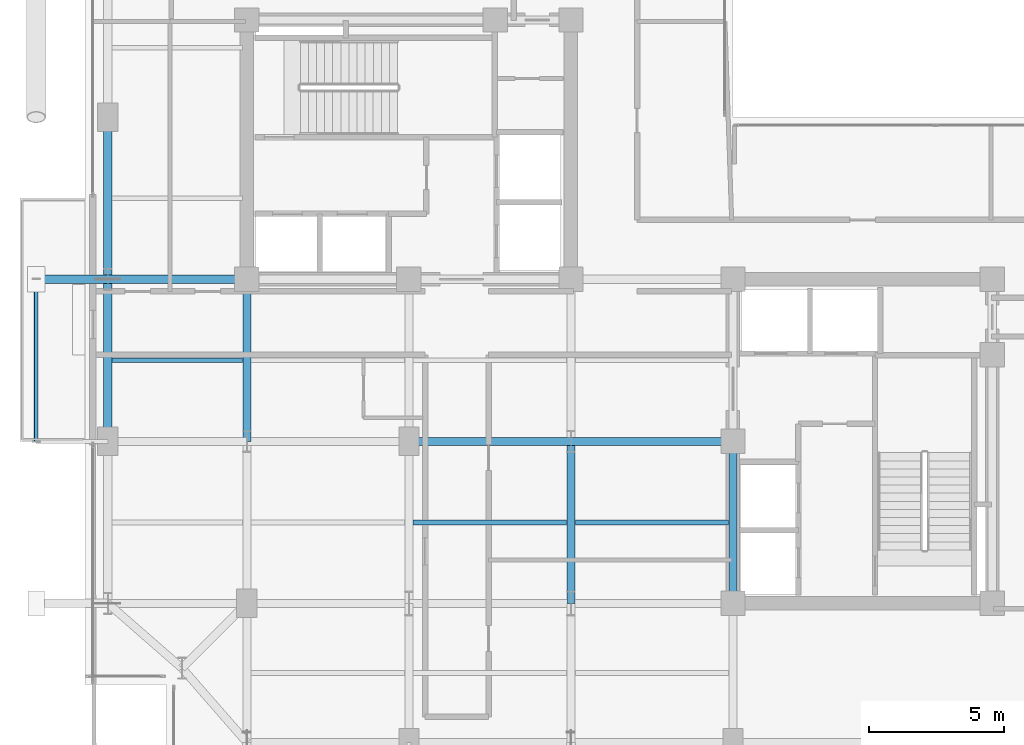
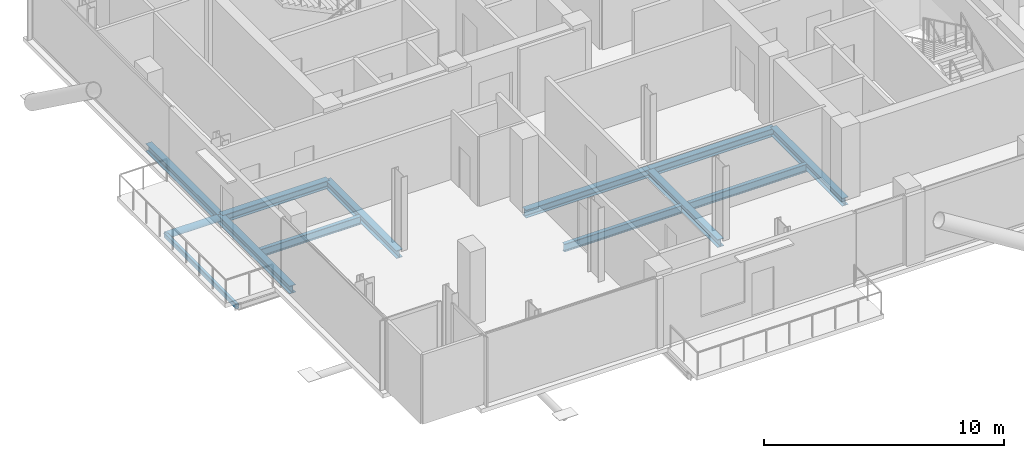
# One storey, part 6 of 21: 12 beams, 1 member.
"""IFC4 building model written with IfcOpenShell, lengths in metres."""

from ifc_helpers import new_model, si_unit, direction, frame, origin, origin_2d, place, context, subcontext, project, spatial, hollow_rectangle, hollow_circle, i_section, extrude, material, material_profile, profile_set, type_object, element, save


model = new_model("IFC4")

# Units and contexts
model_context = context("Model", 3, precision=1e-05, world=origin(), true_north=direction((0.0, 1.0)))
body_context = subcontext(model_context, "Body", "Model", "MODEL_VIEW")
ifc_project = project(units=[si_unit("LENGTHUNIT", "METRE"), si_unit("AREAUNIT", "SQUARE_METRE"), si_unit("VOLUMEUNIT", "CUBIC_METRE"), si_unit("PLANEANGLEUNIT", "RADIAN"), si_unit("MASSUNIT", "GRAM", prefix="KILO"), si_unit("THERMODYNAMICTEMPERATUREUNIT", "KELVIN"), si_unit("POWERUNIT", "WATT")], contexts=[model_context])

# Site, building, storey
site_placement = place(None, origin())
site = spatial("IfcSite", under=ifc_project, at=site_placement, CompositionType="ELEMENT")
building_placement = place(site_placement, origin())
building = spatial("IfcBuilding", under=site, at=building_placement, Name="Svarakhadi Broadcast Tower", CompositionType="ELEMENT")
storey_placement = place(building_placement, frame((0.0, 0.0, 219.89990234375)))
storey = spatial("IfcBuildingStorey", under=building, at=storey_placement, Name="L54", CompositionType="ELEMENT", Elevation=219.89990234375)

# Beams
ifc_material_1 = material(Name="Steel S355J2 (IS 2062 E350C)", Category="steel")
ifc_material_profile_1 = material_profile(ifc_material_1, i_section(OverallWidth=0.179931640625, OverallDepth=0.39990234375, WebThickness=0.008544921875, FlangeThickness=0.013427734375, FilletRadius=0.02099609375, at=origin_2d()), Name="NPB 400x180x66")
ifc_profile_set_1 = profile_set([ifc_material_profile_1], Name="Steel S355J2 (IS 2062 E350C)")
beam_type_1 = type_object("IfcBeamType", Name="Beam_NPB400", PredefinedType="BEAM", material=ifc_profile_set_1)
beam_1_placement = place(storey_placement, frame((1.010009765625, 15.0, -0.409912109375), z_axis=(1.0, 0.0, 0.0), x_axis=(0.0, 1.0, 0.0)))
element("IfcBeam", 1, at=beam_1_placement, inside=storey, type_object=beam_type_1, Name="L54 Secondary Composite Beam SB002", PredefinedType="BEAM", context=body_context, shape_type="SweptSolid", body=[
    extrude(i_section(OverallWidth=0.179931640625, OverallDepth=0.39990234375, WebThickness=0.008544921875, FlangeThickness=0.013427734375, FilletRadius=0.02099609375, at=origin_2d()), origin(), (0.0, 0.0, 1.0), 4.830078125),
])
for number, where, z_axis, x_axis, name in (
    (2, (12.159912109375, 9.0, -0.409912109375), (1.0, 0.0, 0.0), (0.0, 1.0, 0.0), "L54 Secondary Composite Beam SB010"),
    (3, (18.159912109375, 9.0, -0.409912109375), (1.0, 0.0, 0.0), (0.0, 1.0, 0.0), "L54 Secondary Composite Beam SB014"),
):
    element("IfcBeam", number, at=place(storey_placement, frame(where, z_axis=z_axis, x_axis=x_axis)), inside=storey, type_object=beam_type_1, Name=name, PredefinedType="BEAM", context=body_context, shape_type="SweptSolid", body=[
        extrude(i_section(OverallWidth=0.179931640625, OverallDepth=0.39990234375, WebThickness=0.008544921875, FlangeThickness=0.013427734375, FilletRadius=0.02099609375, at=origin_2d()), origin(), (0.0, 0.0, 1.0), 5.68017578125),
    ])

# Member
ifc_material_2 = material(Name="Steel S460ML (IS 2062 E450BR)", Category="steel")
ifc_material_profile_2 = material_profile(ifc_material_2, hollow_circle(Radius=0.161865234375, WallThickness=0.01611328125, at=origin_2d()), Name="CHS 323.9x16")
ifc_profile_set_2 = profile_set([ifc_material_profile_2], Name="Steel S460ML (IS 2062 E450BR)")
member_type = type_object("IfcMemberType", Name="Exo_Radial_Strut_Z2", PredefinedType="STRUT", material=ifc_profile_set_2)
member_placement = place(storey_placement, frame((-1.800048828125, 18.0, -0.371826171875), z_axis=(1.0, 0.0, 0.0), x_axis=(0.0, 1.0, 0.0)))
element("IfcMember", 4, at=member_placement, inside=storey, type_object=member_type, Name="L54 Exoskeleton Radial Tie Strut W05", PredefinedType="STRUT", context=body_context, shape_type="SweptSolid", body=[
    extrude(hollow_circle(Radius=0.161865234375, WallThickness=0.01611328125, at=origin_2d()), origin(), (0.0, 0.0, 1.0), 2.650146484375),
])

# Beams
ifc_material_profile_3 = material_profile(ifc_material_1, i_section(OverallWidth=0.300048828125, OverallDepth=0.39990234375, WebThickness=0.013427734375, FlangeThickness=0.02392578125, FilletRadius=0.027099609375, at=origin_2d()), Name="WPB 400x300x155")
ifc_profile_set_3 = profile_set([ifc_material_profile_3], Name="Steel S355J2 (IS 2062 E350C)")
beam_type_2 = type_object("IfcBeamType", Name="Girder_WPB400", PredefinedType="USERDEFINED", material=ifc_profile_set_3)
for number, where, z_axis, x_axis, name in (
    (5, (12.0, 12.0, -0.409912109375), (1.0, 0.0, 0.0), (0.0, 1.0, 0.0), "L54 Primary E-W Girder G017"),
    (6, (18.0, 12.0, -0.409912109375), (1.0, 0.0, 0.0), (0.0, 1.0, 0.0), "L54 Primary E-W Girder G018"),
):
    element("IfcBeam", number, at=place(storey_placement, frame(where, z_axis=z_axis, x_axis=x_axis)), inside=storey, type_object=beam_type_2, Name=name, ObjectType="GIRDER", PredefinedType="USERDEFINED", context=body_context, shape_type="SweptSolid", body=[
        extrude(i_section(OverallWidth=0.300048828125, OverallDepth=0.39990234375, WebThickness=0.013427734375, FlangeThickness=0.02392578125, FilletRadius=0.027099609375, at=origin_2d()), origin(), (0.0, 0.0, 1.0), 6.0),
    ])
beam_2_placement = place(storey_placement, frame((0.85009765625, 18.0, -0.409912109375), z_axis=(1.0, 0.0, 0.0), x_axis=(0.0, 1.0, 0.0)))
element("IfcBeam", 7, at=beam_2_placement, inside=storey, type_object=beam_type_2, Name="L54 Primary E-W Girder G020", ObjectType="GIRDER", PredefinedType="USERDEFINED", context=body_context, shape_type="SweptSolid", body=[
    extrude(i_section(OverallWidth=0.300048828125, OverallDepth=0.39990234375, WebThickness=0.013427734375, FlangeThickness=0.02392578125, FilletRadius=0.027099609375, at=origin_2d()), origin(), (0.0, 0.0, 1.0), 5.14990234375),
])
for number, where, z_axis, x_axis, name in (
    (8, (0.85009765625, 12.0, -0.409912109375), (0.0, 1.0, 0.0), (-1.0, 0.0, 0.0), "L54 Primary N-S Girder G034"),
    (9, (0.85009765625, 18.0, -0.409912109375), (0.0, 1.0, 0.0), (-1.0, 0.0, 0.0), "L54 Primary N-S Girder G035"),
    (10, (6.0, 12.0, -0.409912109375), (0.0, 1.0, 0.0), (-1.0, 0.0, 0.0), "L54 Primary N-S Girder G039"),
    (11, (18.0, 6.0, -0.409912109375), (0.0, 1.0, 0.0), (-1.0, 0.0, 0.0), "L54 Primary N-S Girder G047"),
    (12, (24.0, 6.0, -0.409912109375), (0.0, 1.0, 0.0), (-1.0, 0.0, 0.0), "L54 Primary N-S Girder G052"),
):
    element("IfcBeam", number, at=place(storey_placement, frame(where, z_axis=z_axis, x_axis=x_axis)), inside=storey, type_object=beam_type_2, Name=name, ObjectType="GIRDER", PredefinedType="USERDEFINED", context=body_context, shape_type="SweptSolid", body=[
        extrude(i_section(OverallWidth=0.300048828125, OverallDepth=0.39990234375, WebThickness=0.013427734375, FlangeThickness=0.02392578125, FilletRadius=0.027099609375, at=origin_2d()), origin(), (0.0, 0.0, 1.0), 6.0),
    ])
ifc_material_profile_4 = material_profile(ifc_material_2, hollow_rectangle(XDim=0.14990234375, YDim=0.25, WallThickness=0.010009765625, InnerFilletRadius=0.010009765625, OuterFilletRadius=0.02001953125, at=origin_2d()), Name="RHS 250x150x10")
ifc_profile_set_4 = profile_set([ifc_material_profile_4], Name="Steel S460ML (IS 2062 E450BR)")
beam_type_3 = type_object("IfcBeamType", Name="Spandrel_RHS250", PredefinedType="SPANDREL", material=ifc_profile_set_4)
beam_3_placement = place(storey_placement, frame((-1.800048828125, 12.0, -0.349853515625), z_axis=(0.0, 1.0, 0.0), x_axis=(-1.0, 0.0, 0.0)))
element("IfcBeam", 13, at=beam_3_placement, inside=storey, type_object=beam_type_3, Name="L54 Balcony Outer Spandrel 2F", PredefinedType="SPANDREL", context=body_context, shape_type="SweptSolid", body=[
    extrude(hollow_rectangle(XDim=0.14990234375, YDim=0.25, WallThickness=0.010009765625, InnerFilletRadius=0.010009765625, OuterFilletRadius=0.02001953125, at=origin_2d()), origin(), (0.0, 0.0, 1.0), 6.0),
])

save(model, "model.ifc")
